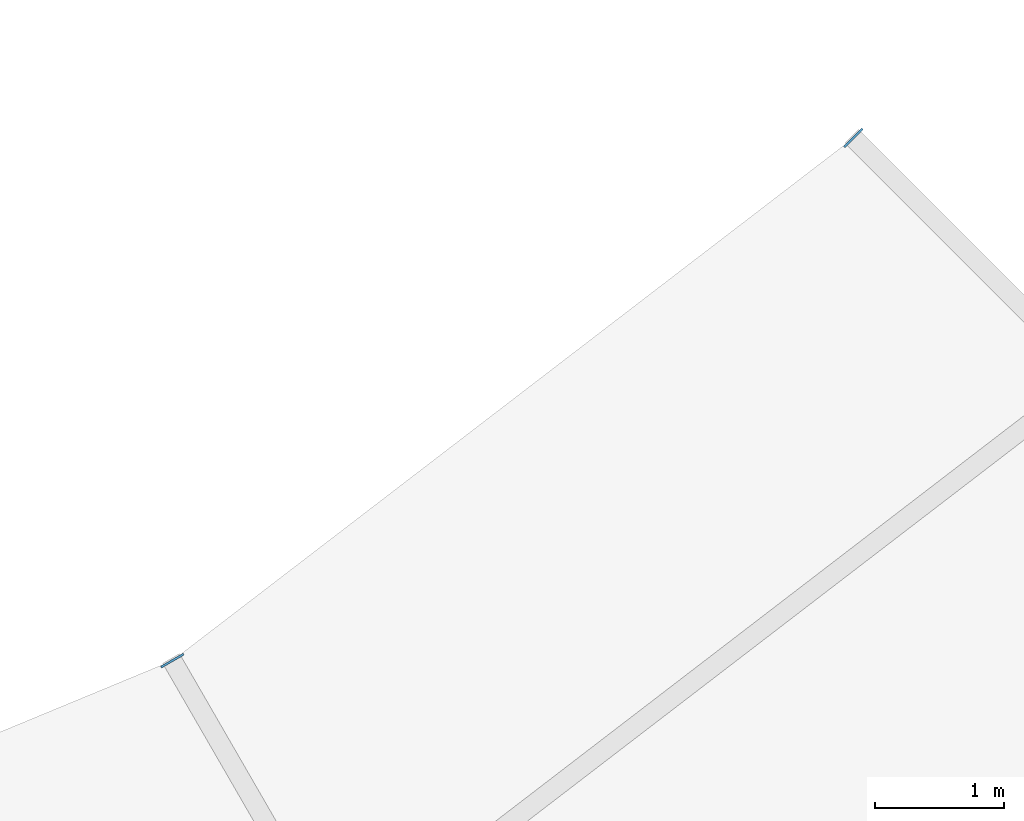
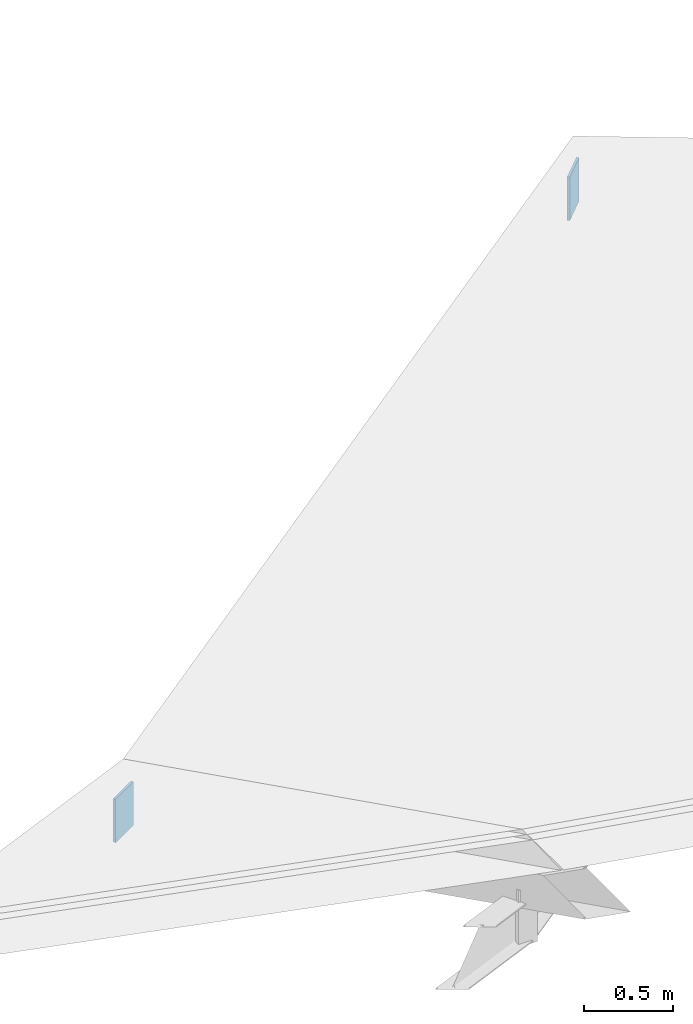
# One storey, part 152 of 185: 2 plates.
"""IFC4 building model written with IfcOpenShell, lengths in metres."""

from ifc_helpers import new_model, si_unit, direction, frame, origin, origin_2d, place, context, subcontext, project, spatial, rectangle, extrude, material, layer, layer_set, type_object, element, save


model = new_model("IFC4")

# Units and contexts
model_context = context("Model", 3, precision=1e-05, world=origin(), true_north=direction((0.0, 1.0)))
body_context = subcontext(model_context, "Body", "Model", "MODEL_VIEW")
ifc_project = project(units=[si_unit("LENGTHUNIT", "METRE"), si_unit("AREAUNIT", "SQUARE_METRE"), si_unit("VOLUMEUNIT", "CUBIC_METRE"), si_unit("PLANEANGLEUNIT", "RADIAN"), si_unit("MASSUNIT", "GRAM", prefix="KILO")], contexts=[model_context])

# Site, building, storey
site_placement = place(None, origin())
site = spatial("IfcSite", under=ifc_project, at=site_placement, CompositionType="ELEMENT")
building_placement = place(site_placement, origin())
building = spatial("IfcBuilding", under=site, at=building_placement, Name="Vondelvale Polytechnic", CompositionType="ELEMENT")
storey_placement = place(building_placement, frame((0.0, 0.0, 9.60009765625)))
storey = spatial("IfcBuildingStorey", under=building, at=storey_placement, Name="L02", CompositionType="ELEMENT", Elevation=9.60009765625)

# Plates
ifc_material = material(Name="Steel Grade 350 (fy = 340 MPa)", Category="steel")
ifc_layer = layer(ifc_material, 0.01611328125)
ifc_layer_set = layer_set([ifc_layer], Name="PLATE-CAP-300x200")
plate_type = type_object("IfcPlateType", Name="PLATE-CAP-300x200", PredefinedType="USERDEFINED", material=ifc_layer_set)
for number, where, z_axis, x_axis, name in (
    (1, (114.699951171875, 50.0029296875, -0.1845703125), (0.0, 0.0, 1.0), (-0.5, 0.866025403784, 0.0), "Ring rafter hollow end cap plate 20I"),
    (2, (119.96044921875, 54.03955078125, -0.1845703125), (0.0, 0.0, 1.0), (-0.707106781187, 0.707106781187, 0.0), "Ring step rafter end cap plate 20I"),
):
    element("IfcPlate", number, at=place(storey_placement, frame(where, z_axis=z_axis, x_axis=x_axis)), inside=storey, type_object=plate_type, Name=name, ObjectType="CAP_PLATE", PredefinedType="USERDEFINED", context=body_context, shape_type="SweptSolid", body=[
        extrude(rectangle(XDim=0.01611328125, YDim=0.199951171875, at=origin_2d()), origin(), (0.0, 0.0, 1.0), 0.300048828125),
    ])

save(model, "model.ifc")
